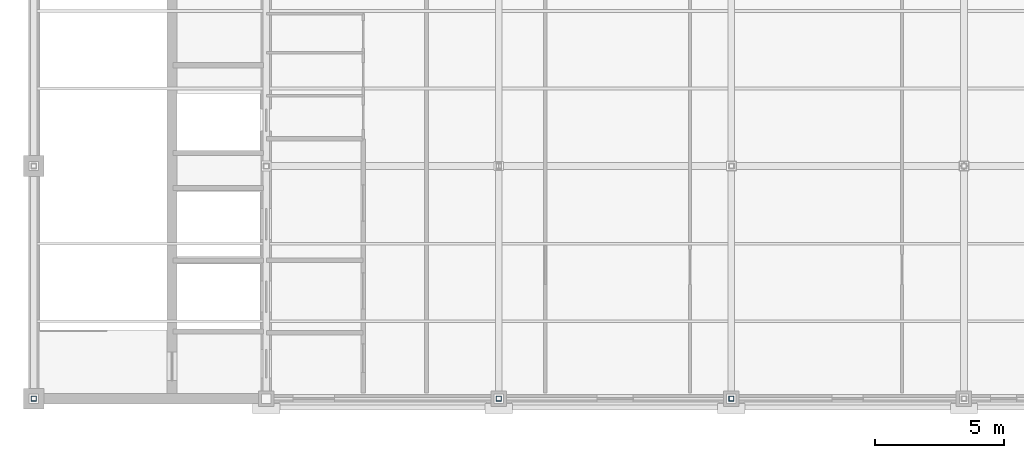
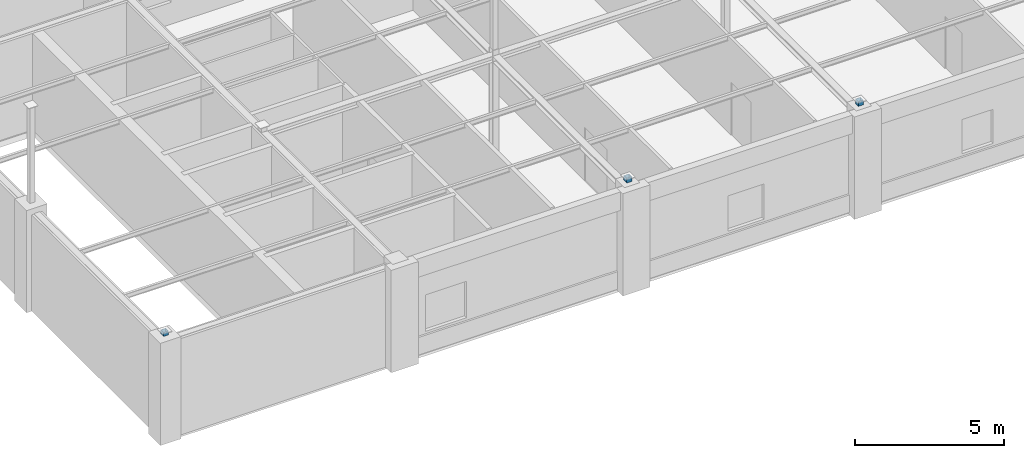
# One storey, part 8 of 13: 3 members.
"""IFC4 building model written with IfcOpenShell, lengths in metres."""

from ifc_helpers import new_model, si_unit, direction, frame, origin, origin_2d, place, context, subcontext, project, spatial, hollow_rectangle, extrude, material, material_profile, profile_set, type_object, element, save


model = new_model("IFC4")

# Units and contexts
model_context = context("Model", 3, precision=1e-05, world=origin(), true_north=direction((0.0, 1.0)))
body_context = subcontext(model_context, "Body", "Model", "MODEL_VIEW")
ifc_project = project(units=[si_unit("LENGTHUNIT", "METRE"), si_unit("AREAUNIT", "SQUARE_METRE"), si_unit("VOLUMEUNIT", "CUBIC_METRE"), si_unit("PLANEANGLEUNIT", "RADIAN"), si_unit("MASSUNIT", "GRAM", prefix="KILO")], contexts=[model_context])

# Site, building, storey
site_placement = place(None, origin())
site = spatial("IfcSite", under=ifc_project, at=site_placement, CompositionType="ELEMENT")
building_placement = place(site_placement, origin())
building = spatial("IfcBuilding", under=site, at=building_placement, Name="Lykobir Media Centre", CompositionType="ELEMENT")
storey_placement = place(building_placement, frame((0.0, 0.0, 36.0)))
storey = spatial("IfcBuildingStorey", under=building, at=storey_placement, Name="L08", CompositionType="ELEMENT", Elevation=36.0)

# Members
ifc_material = material(Name="Steel S355", Category="steel")
ifc_material_profile = material_profile(ifc_material, hollow_rectangle(XDim=0.199951171875, YDim=0.199951171875, WallThickness=0.010009765625, at=origin_2d()), Name="SHS 200x200x10")
ifc_profile_set = profile_set([ifc_material_profile], Name="Steel S355")
member_type = type_object("IfcMemberType", Name="TC-SHS200", PredefinedType="CHORD", material=ifc_profile_set)
member_placement = place(storey_placement, frame((27.0, 0.0, 4.199951171875), z_axis=(0.0, 0.0, 1.0), x_axis=(1.0, 0.0, 0.0)))
element("IfcMember", 1, at=member_placement, inside=storey, type_object=member_type, Name="Truss chord MEM2-L08-0270-0000-0402-0270-0000-0043", PredefinedType="CHORD", context=body_context, shape_type="SweptSolid", body=[
    extrude(hollow_rectangle(XDim=0.199951171875, YDim=0.199951171875, WallThickness=0.010009765625, at=origin_2d()), origin(), (0.0, 0.0, 1.0), 0.15478515625),
])
for number, where, z_axis, x_axis, name in (
    (2, (45.0, 0.0, 4.199951171875), (0.0, 0.0, 1.0), (1.0, 0.0, 0.0), "Truss chord MEM2-L08-0450-0000-0402-0450-0000-0046"),
    (3, (54.0, 0.0, 4.199951171875), (0.0, 0.0, 1.0), (1.0, 0.0, 0.0), "Truss chord MEM2-L08-0540-0000-0402-0540-0000-0049"),
):
    element("IfcMember", number, at=place(storey_placement, frame(where, z_axis=z_axis, x_axis=x_axis)), inside=storey, type_object=member_type, Name=name, PredefinedType="CHORD", context=body_context, shape_type="SweptSolid", body=[
        extrude(hollow_rectangle(XDim=0.199951171875, YDim=0.199951171875, WallThickness=0.010009765625, at=origin_2d()), origin(), (0.0, 0.0, 1.0), 0.191650390625),
    ])

save(model, "model.ifc")
